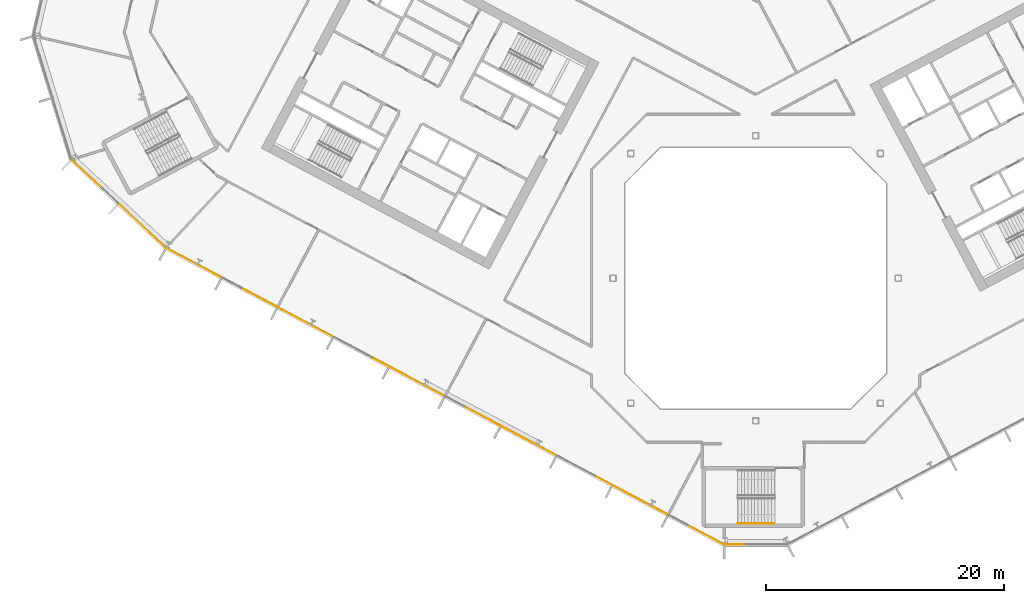
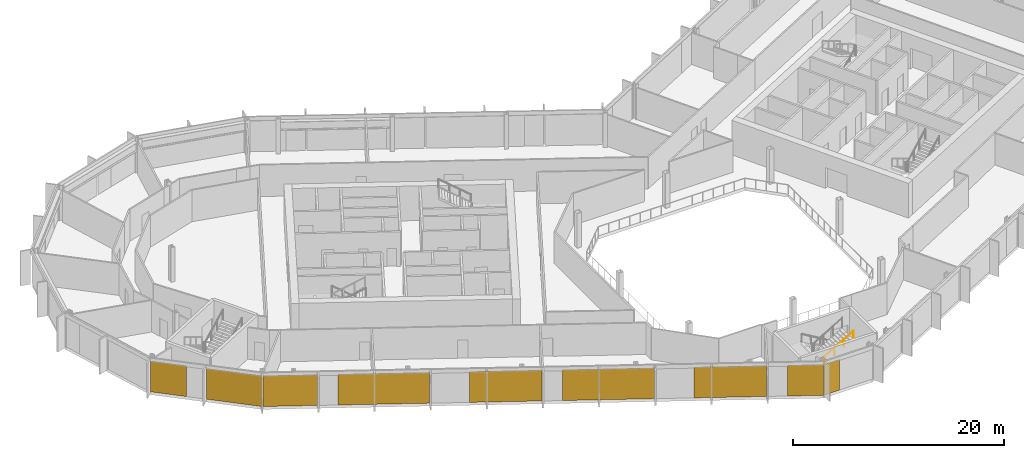
# One storey, part 19 of 28: 9 coverings, 1 railing, 3 elements without a shape of their own.
"""IFC4 building model written with IfcOpenShell, lengths in metres."""

from ifc_helpers import new_model, si_unit, direction, frame, origin, origin_2d, place, context, subcontext, project, spatial, polyline, rectangle, outline, extrude, material, layer, layer_set, type_object, element, aggregate, save


model = new_model("IFC4")

# Units and contexts
model_context = context("Model", 3, precision=1e-05, world=origin(), true_north=direction((0.0, 1.0)))
body_context = subcontext(model_context, "Body", "Model", "MODEL_VIEW")
ifc_project = project(units=[si_unit("LENGTHUNIT", "METRE"), si_unit("AREAUNIT", "SQUARE_METRE"), si_unit("VOLUMEUNIT", "CUBIC_METRE"), si_unit("PLANEANGLEUNIT", "RADIAN"), si_unit("MASSUNIT", "GRAM", prefix="KILO")], contexts=[model_context])

# Site, building, storey
site_placement = place(None, origin())
site = spatial("IfcSite", under=ifc_project, at=site_placement, CompositionType="ELEMENT")
building_placement = place(site_placement, origin())
building = spatial("IfcBuilding", under=site, at=building_placement, Name="Cormorant Relay Tower", CompositionType="ELEMENT")
storey_placement = place(building_placement, frame((0.0, 0.0, 122.199951171875)))
storey = spatial("IfcBuildingStorey", under=building, at=storey_placement, Name="L24", CompositionType="ELEMENT", Elevation=122.199951171875)

# Curtain wall, covering
ifc_material_1 = material(Name="Aluminium 6063-T6 anodised bronze", Category="aluminium")
ifc_layer_1 = layer(ifc_material_1, 0.199951171875)
ifc_layer_set_1 = layer_set([ifc_layer_1], Name="CW1 unitised bronze curtain wall with vertical fins")
curtain_wall_type = type_object("IfcCurtainWallType", Name="CW1 unitised bronze curtain wall with vertical fins", PredefinedType="NOTDEFINED", material=ifc_layer_set_1)
curtain_wall_1_placement = place(storey_placement, origin())
curtain_wall_1 = element("IfcCurtainWall", 1, at=curtain_wall_1_placement, inside=storey, type_object=curtain_wall_type, Name="CW1 curtain wall 1", PredefinedType="NOTDEFINED")
ifc_material_2 = material(Name="Pale bronze anodised aluminium insulated panel", Category="aluminium")
ifc_layer_2 = layer(ifc_material_2, 0.0400390625)
ifc_layer_set_2 = layer_set([ifc_layer_2], Name="CW1 pale bronze insulated panel 40")
covering_type = type_object("IfcCoveringType", Name="CW1 pale bronze insulated panel 40", PredefinedType="CLADDING", material=ifc_layer_set_2)
covering_1_placement = place(storey_placement, frame((-1.762451171875, -22.3955078125, 0.0), z_axis=(0.0, 0.0, 1.0), x_axis=(1.0, 0.0, 0.0)))
covering_1 = element("IfcCovering", 2, at=covering_1_placement, type_object=covering_type, Name="CW1 panel S00", PredefinedType="CLADDING", context=body_context, shape_type="SweptSolid", body=[
    extrude(rectangle(XDim=1.622802734375, YDim=0.0400390625, at=origin_2d()), origin(), (0.0, 0.0, 1.0), 3.550048828125),
])
aggregate(curtain_wall_1, [covering_1])

# Curtain wall, coverings
curtain_wall_2_placement = place(storey_placement, origin())
curtain_wall_2 = element("IfcCurtainWall", 3, at=curtain_wall_2_placement, inside=storey, type_object=curtain_wall_type, Name="CW1 curtain wall 15", PredefinedType="NOTDEFINED")
covering_2_placement = place(storey_placement, frame((-56.22607421875, 8.74365234375, 0.0), z_axis=(0.0, 0.0, 1.0), x_axis=(0.731353701619, -0.681998360062, 0.0)))
covering_2 = element("IfcCovering", 4, at=covering_2_placement, type_object=covering_type, Name="CW1 panel S00", PredefinedType="CLADDING", context=body_context, shape_type="SweptSolid", body=[
    extrude(rectangle(XDim=3.485107421875, YDim=0.0400390625, at=origin_2d()), origin(), (0.0, 0.0, 1.0), 3.550048828125),
])
covering_3_placement = place(storey_placement, frame((-51.565185546875, 4.3974609375, 0.0), z_axis=(0.0, 0.0, 1.0), x_axis=(0.731353701619, -0.681998360062, 0.0)))
covering_3 = element("IfcCovering", 5, at=covering_3_placement, type_object=covering_type, Name="CW1 panel S02", PredefinedType="CLADDING", context=body_context, shape_type="SweptSolid", body=[
    extrude(rectangle(XDim=5.360107421875, YDim=0.0400390625, at=origin_2d()), origin(), (0.0, 0.0, 1.0), 3.550048828125),
])
aggregate(curtain_wall_2, [covering_2, covering_3])

curtain_wall_3_placement = place(storey_placement, origin())
curtain_wall_3 = element("IfcCurtainWall", 6, at=curtain_wall_3_placement, inside=storey, type_object=curtain_wall_type, Name="CW1 curtain wall 16", PredefinedType="NOTDEFINED")
covering_4_placement = place(storey_placement, frame((-47.25390625, 1.318603515625, 0.0), z_axis=(0.0, 0.0, 1.0), x_axis=(0.882947592859, -0.469471562786, 0.0)))
covering_4 = element("IfcCovering", 7, at=covering_4_placement, type_object=covering_type, Name="CW1 panel S00", PredefinedType="CLADDING", context=body_context, shape_type="SweptSolid", body=[
    extrude(rectangle(XDim=5.16650390625, YDim=0.0400390625, at=origin_2d()), origin(), (0.0, 0.0, 1.0), 3.550048828125),
])
covering_5_placement = place(storey_placement, frame((-39.417724609375, -2.847900390625, 0.0), z_axis=(0.0, 0.0, 1.0), x_axis=(0.882947592859, -0.469471562786, 0.0)))
covering_5 = element("IfcCovering", 8, at=covering_5_placement, type_object=covering_type, Name="CW1 panel S02", PredefinedType="CLADDING", context=body_context, shape_type="SweptSolid", body=[
    extrude(rectangle(XDim=8.68310546875, YDim=0.0400390625, at=origin_2d()), origin(), (0.0, 0.0, 1.0), 3.550048828125),
])
covering_6_placement = place(storey_placement, frame((-29.234619140625, -8.26220703125, 0.0), z_axis=(0.0, 0.0, 1.0), x_axis=(0.882947592859, -0.469471562786, 0.0)))
covering_6 = element("IfcCovering", 9, at=covering_6_placement, type_object=covering_type, Name="CW1 panel S04", PredefinedType="CLADDING", context=body_context, shape_type="SweptSolid", body=[
    extrude(rectangle(XDim=6.88330078125, YDim=0.0400390625, at=origin_2d()), origin(), (0.0, 0.0, 1.0), 3.550048828125),
])
covering_7_placement = place(storey_placement, frame((-20.640625, -12.831787109375, 0.0), z_axis=(0.0, 0.0, 1.0), x_axis=(0.882947592859, -0.469471562786, 0.0)))
covering_7 = element("IfcCovering", 10, at=covering_7_placement, type_object=covering_type, Name="CW1 panel S06", PredefinedType="CLADDING", context=body_context, shape_type="SweptSolid", body=[
    extrude(rectangle(XDim=8.68310546875, YDim=0.0400390625, at=origin_2d()), origin(), (0.0, 0.0, 1.0), 3.550048828125),
])
covering_8_placement = place(storey_placement, frame((-10.45751953125, -18.246337890625, 0.0), z_axis=(0.0, 0.0, 1.0), x_axis=(0.882947592859, -0.469471562786, 0.0)))
covering_8 = element("IfcCovering", 11, at=covering_8_placement, type_object=covering_type, Name="CW1 panel S08", PredefinedType="CLADDING", context=body_context, shape_type="SweptSolid", body=[
    extrude(rectangle(XDim=6.88330078125, YDim=0.0400390625, at=origin_2d()), origin(), (0.0, 0.0, 1.0), 3.550048828125),
])
covering_9_placement = place(storey_placement, frame((-4.177490234375, -21.58544921875, 0.0), z_axis=(0.0, 0.0, 1.0), x_axis=(0.882947592859, -0.469471562786, 0.0)))
covering_9 = element("IfcCovering", 12, at=covering_9_placement, type_object=covering_type, Name="CW1 panel S10", PredefinedType="CLADDING", context=body_context, shape_type="SweptSolid", body=[
    extrude(rectangle(XDim=3.441650390625, YDim=0.0400390625, at=origin_2d()), origin(), (0.0, 0.0, 1.0), 3.550048828125),
])
aggregate(curtain_wall_3, [covering_4, covering_5, covering_6, covering_7, covering_8, covering_9])

# Railing
ifc_material_3 = material(Name="Steel ASTM A572 Grade 50 (Fy 345 MPa)", Category="steel")
railing_type = type_object("IfcRailingType", Name="Stair handrail 900", PredefinedType="HANDRAIL", material=ifc_material_3)
railing_placement = place(storey_placement, frame((-1.47998046875, -20.625, 2.166748046875)))
element("IfcRailing", 13, at=railing_placement, inside=storey, type_object=railing_type, Name="L24 RK1 stair handrail 2", PredefinedType="HANDRAIL", context=body_context, shape_type="SweptSolid", body=[
    extrude(outline(polyline([(0.022216796875, 0.00927734375), (0.00927734375, 0.022216796875), (-0.00927734375, 0.022216796875), (-0.022216796875, 0.00927734375), (-0.022216796875, -0.00927734375), (-0.00927734375, -0.022216796875), (0.00927734375, -0.022216796875), (0.022216796875, -0.00927734375), (0.022216796875, 0.00927734375)])), frame((0.0, 0.0, 0.8759765625), z_axis=(0.859308565015, 0.0, 0.511457515432), x_axis=(0.0, 1.0, 0.0)), (0.0, 0.0, 1.0), 3.58447265625),
    extrude(outline(polyline([(0.019287109375, 0.008056640625), (0.008056640625, 0.019287109375), (-0.008056640625, 0.019287109375), (-0.019287109375, 0.008056640625), (-0.019287109375, -0.008056640625), (-0.008056640625, -0.019287109375), (0.008056640625, -0.019287109375), (0.019287109375, -0.008056640625), (0.019287109375, 0.008056640625)])), origin(), (0.0, 0.0, 1.0), 0.851806640625),
    extrude(outline(polyline([(0.019287109375, 0.008056640625), (0.008056640625, 0.019287109375), (-0.008056640625, 0.019287109375), (-0.019287109375, 0.008056640625), (-0.019287109375, -0.008056640625), (-0.008056640625, -0.019287109375), (0.008056640625, -0.019287109375), (0.019287109375, -0.008056640625), (0.019287109375, 0.008056640625)])), frame((1.026611328125, 0.0, 0.611083984375)), (0.0, 0.0, 1.0), 0.851806640625),
    extrude(outline(polyline([(0.019287109375, 0.008056640625), (0.008056640625, 0.019287109375), (-0.008056640625, 0.019287109375), (-0.019287109375, 0.008056640625), (-0.019287109375, -0.008056640625), (-0.008056640625, -0.019287109375), (0.008056640625, -0.019287109375), (0.019287109375, -0.008056640625), (0.019287109375, 0.008056640625)])), frame((2.053466796875, 0.0, 1.22216796875)), (0.0, 0.0, 1.0), 0.851806640625),
    extrude(outline(polyline([(0.019287109375, 0.008056640625), (0.008056640625, 0.019287109375), (-0.008056640625, 0.019287109375), (-0.019287109375, 0.008056640625), (-0.019287109375, -0.008056640625), (-0.008056640625, -0.019287109375), (0.008056640625, -0.019287109375), (0.019287109375, -0.008056640625), (0.019287109375, 0.008056640625)])), frame((3.080078125, 0.0, 1.833251953125)), (0.0, 0.0, 1.0), 0.851806640625),
])

save(model, "model.ifc")
